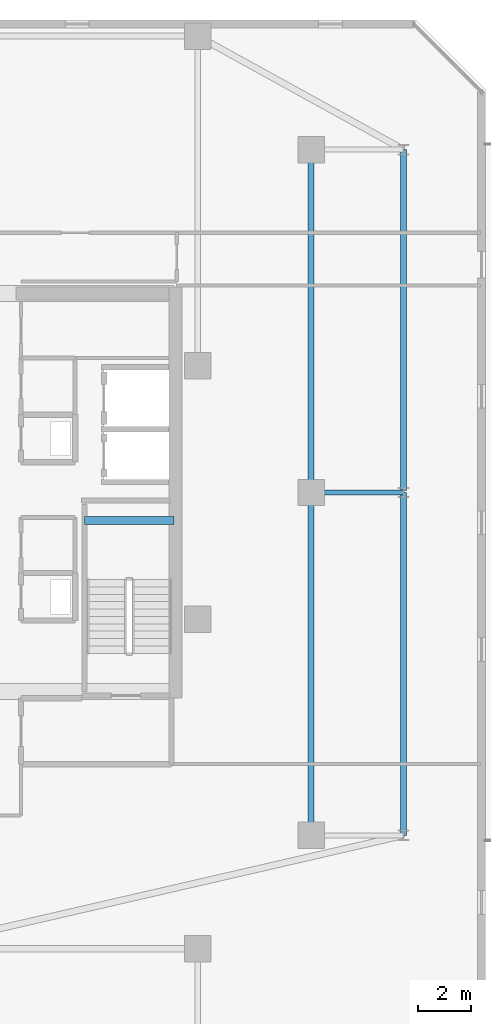
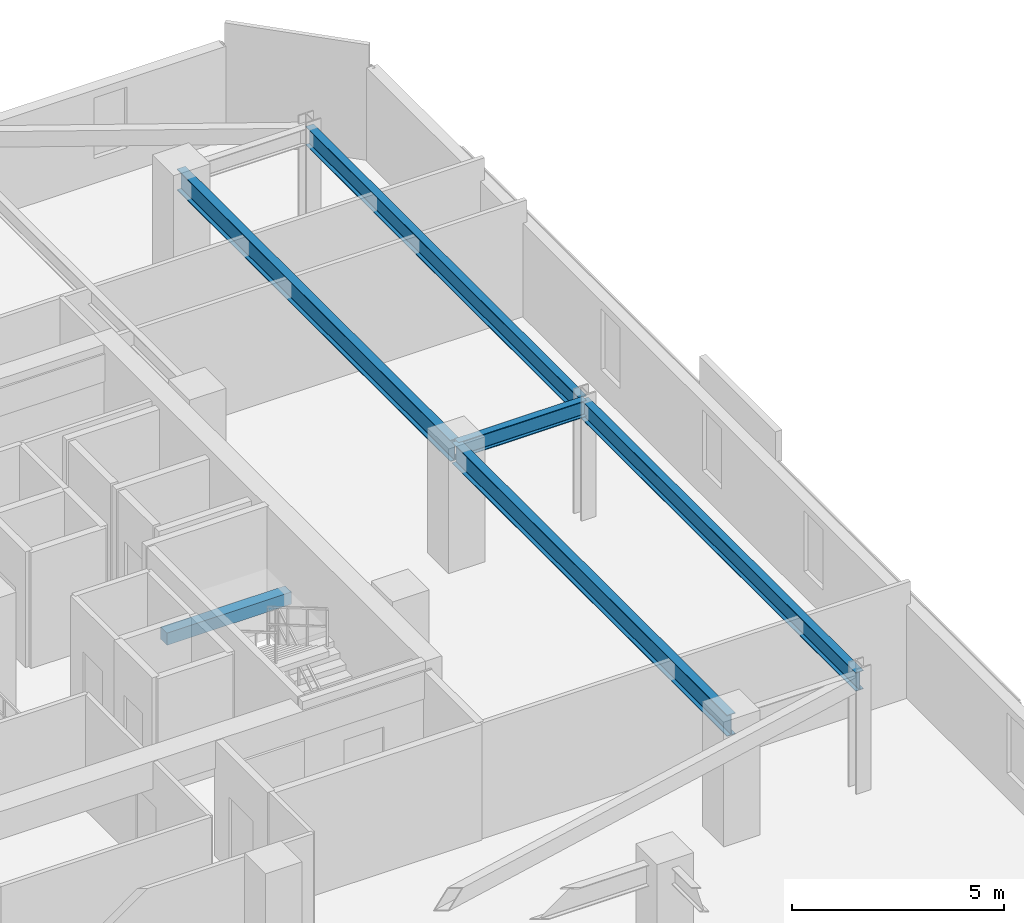
# One storey, part 13 of 32: 6 beams.
"""IFC4 building model written with IfcOpenShell, lengths in metres."""

from ifc_helpers import new_model, si_unit, direction, frame, origin, origin_2d, place, context, subcontext, project, spatial, rectangle, i_section, extrude, material, material_profile, profile_set, type_object, element, save


model = new_model("IFC4")

# Units and contexts
model_context = context("Model", 3, precision=1e-05, world=origin(), true_north=direction((0.0, 1.0)))
body_context = subcontext(model_context, "Body", "Model", "MODEL_VIEW")
ifc_project = project(units=[si_unit("LENGTHUNIT", "METRE"), si_unit("AREAUNIT", "SQUARE_METRE"), si_unit("VOLUMEUNIT", "CUBIC_METRE"), si_unit("PLANEANGLEUNIT", "RADIAN"), si_unit("MASSUNIT", "GRAM", prefix="KILO")], contexts=[model_context])

# Site, building, storey
site_placement = place(None, origin())
site = spatial("IfcSite", under=ifc_project, at=site_placement, CompositionType="ELEMENT")
building_placement = place(site_placement, origin())
building = spatial("IfcBuilding", under=site, at=building_placement, Name="Thornwick Lancets Civic Towers", CompositionType="ELEMENT")
storey_placement = place(building_placement, frame((0.0, 0.0, 243.89990234375)))
storey = spatial("IfcBuildingStorey", under=building, at=storey_placement, Name="L65", CompositionType="ELEMENT", Elevation=243.89990234375)

# Beams
ifc_material_1 = material(Name="Steel S355JR", Category="steel")
ifc_material_profile_1 = material_profile(ifc_material_1, i_section(OverallWidth=0.210693359375, OverallDepth=0.53955078125, WebThickness=0.01171875, FlangeThickness=0.018798828125, FilletRadius=0.0126953125, at=origin_2d()), Name="UKB 533x210x109")
ifc_profile_set_1 = profile_set([ifc_material_profile_1], Name="Steel S355JR")
beam_type_1 = type_object("IfcBeamType", Name="BM_EDGE_533_109", PredefinedType="SPANDREL", material=ifc_profile_set_1)
beam_1_placement = place(storey_placement, frame((109.300048828125, 14.0, 3.09033203125), z_axis=(0.0, 1.0, 0.0), x_axis=(-1.0, 0.0, 0.0)))
element("IfcBeam", 1, at=beam_1_placement, inside=storey, type_object=beam_type_1, Name="BM-EDGE-L65-B-S0-1", PredefinedType="SPANDREL", context=body_context, shape_type="SweptSolid", body=[
    extrude(i_section(OverallWidth=0.210693359375, OverallDepth=0.53955078125, WebThickness=0.01171875, FlangeThickness=0.018798828125, FilletRadius=0.0126953125, at=origin_2d()), origin(), (0.0, 0.0, 1.0), 13.0),
])
beam_2_placement = place(storey_placement, frame((109.300048828125, 27.080078125, 3.09033203125), z_axis=(0.0, 1.0, 0.0), x_axis=(-1.0, 0.0, 0.0)))
element("IfcBeam", 2, at=beam_2_placement, inside=storey, type_object=beam_type_1, Name="BM-EDGE-L65-B-S0-2", PredefinedType="SPANDREL", context=body_context, shape_type="SweptSolid", body=[
    extrude(i_section(OverallWidth=0.210693359375, OverallDepth=0.53955078125, WebThickness=0.01171875, FlangeThickness=0.018798828125, FilletRadius=0.0126953125, at=origin_2d()), origin(), (0.0, 0.0, 1.0), 12.919921875),
])
ifc_material_profile_2 = material_profile(ifc_material_1, i_section(OverallWidth=0.230224609375, OverallDepth=0.6171875, WebThickness=0.01318359375, FlangeThickness=0.022216796875, FilletRadius=0.0126953125, at=origin_2d()), Name="UKB 610x229x140")
ifc_profile_set_2 = profile_set([ifc_material_profile_2], Name="Steel S355JR")
beam_type_2 = type_object("IfcBeamType", Name="BM_GIRD_610_140", PredefinedType="BEAM", material=ifc_profile_set_2)
beam_3_placement = place(storey_placement, frame((105.800048828125, 14.0, 3.051513671875), z_axis=(0.0, 1.0, 0.0), x_axis=(-1.0, 0.0, 0.0)))
element("IfcBeam", 3, at=beam_3_placement, inside=storey, type_object=beam_type_2, Name="BM-SPINE-L65-B-0-1", PredefinedType="BEAM", context=body_context, shape_type="SweptSolid", body=[
    extrude(i_section(OverallWidth=0.230224609375, OverallDepth=0.6171875, WebThickness=0.01318359375, FlangeThickness=0.022216796875, FilletRadius=0.0126953125, at=origin_2d()), origin(), (0.0, 0.0, 1.0), 13.0),
])
beam_4_placement = place(storey_placement, frame((105.800048828125, 27.080078125, 3.051513671875), z_axis=(0.0, 1.0, 0.0), x_axis=(-1.0, 0.0, 0.0)))
element("IfcBeam", 4, at=beam_4_placement, inside=storey, type_object=beam_type_2, Name="BM-SPINE-L65-B-1-2", PredefinedType="BEAM", context=body_context, shape_type="SweptSolid", body=[
    extrude(i_section(OverallWidth=0.230224609375, OverallDepth=0.6171875, WebThickness=0.01318359375, FlangeThickness=0.022216796875, FilletRadius=0.0126953125, at=origin_2d()), origin(), (0.0, 0.0, 1.0), 12.919921875),
])
ifc_material_profile_3 = material_profile(ifc_material_1, i_section(OverallWidth=0.19287109375, OverallDepth=0.46728515625, WebThickness=0.011474609375, FlangeThickness=0.01953125, FilletRadius=0.01025390625, at=origin_2d()), Name="UKB 457x191x98")
ifc_profile_set_3 = profile_set([ifc_material_profile_3], Name="Steel S355JR")
beam_type_3 = type_object("IfcBeamType", Name="BM_JOIST_457_98", PredefinedType="JOIST", material=ifc_profile_set_3)
beam_5_placement = place(storey_placement, frame((105.800048828125, 27.0, 3.12646484375), z_axis=(1.0, 0.0, 0.0), x_axis=(0.0, 1.0, 0.0)))
element("IfcBeam", 5, at=beam_5_placement, inside=storey, type_object=beam_type_3, Name="BM-RAD-L65-B02", PredefinedType="JOIST", context=body_context, shape_type="SweptSolid", body=[
    extrude(i_section(OverallWidth=0.19287109375, OverallDepth=0.46728515625, WebThickness=0.011474609375, FlangeThickness=0.01953125, FilletRadius=0.01025390625, at=origin_2d()), origin(), (0.0, 0.0, 1.0), 3.5),
])
ifc_material_2 = material(Name="Concrete C40/50", Category="concrete")
ifc_material_profile_4 = material_profile(ifc_material_2, rectangle(XDim=0.300048828125, YDim=0.35009765625, at=origin_2d()), Name="RC 300x350")
ifc_profile_set_4 = profile_set([ifc_material_profile_4], Name="Concrete C40/50")
beam_type_4 = type_object("IfcBeamType", Name="BM_STAIR_LDG", PredefinedType="BEAM", material=ifc_profile_set_4)
beam_6_placement = place(storey_placement, frame((100.60009765625, 25.93505859375, 1.378173828125), z_axis=(-1.0, 0.0, 0.0), x_axis=(0.0, -1.0, 0.0)))
element("IfcBeam", 6, at=beam_6_placement, inside=storey, type_object=beam_type_4, Name="L65 ST-B1 Landing Support Beam 1", PredefinedType="BEAM", context=body_context, shape_type="SweptSolid", body=[
    extrude(rectangle(XDim=0.300048828125, YDim=0.35009765625, at=origin_2d()), origin(), (0.0, 0.0, 1.0), 3.400146484375),
])

save(model, "model.ifc")
